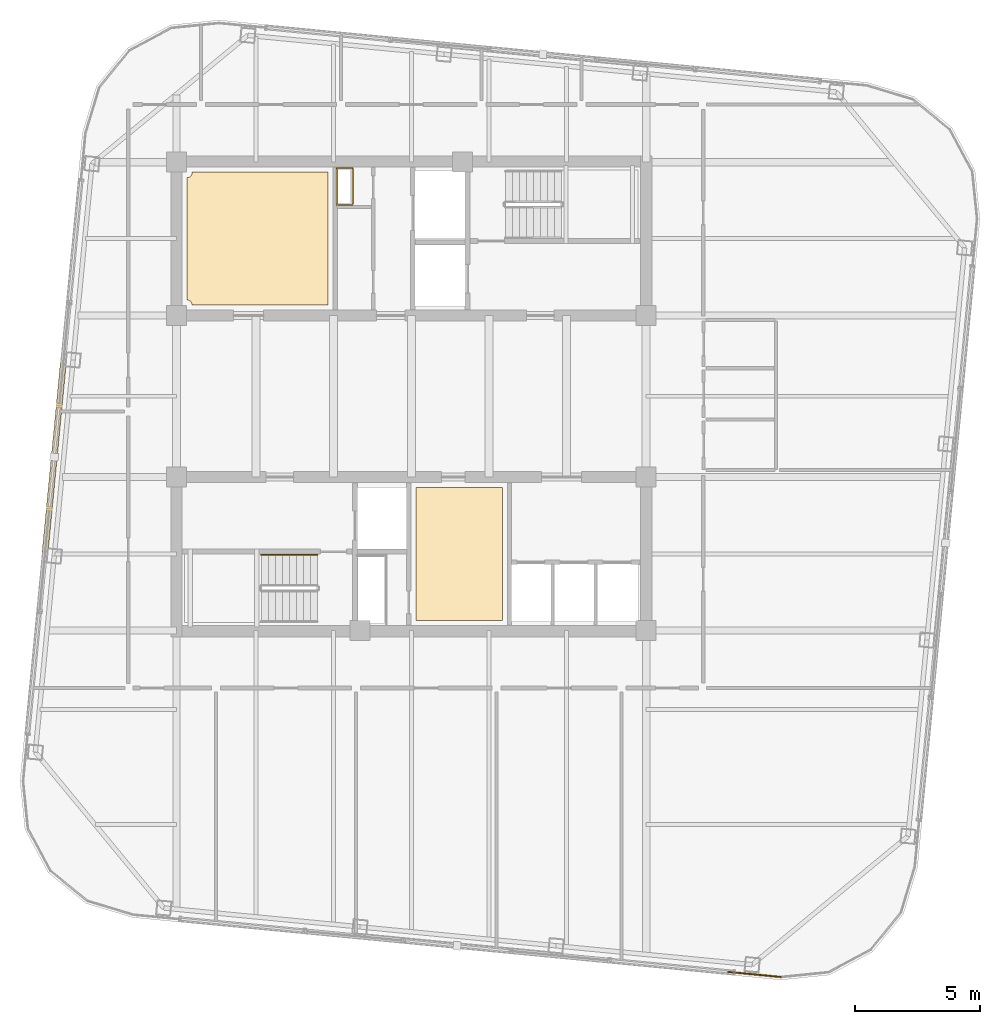
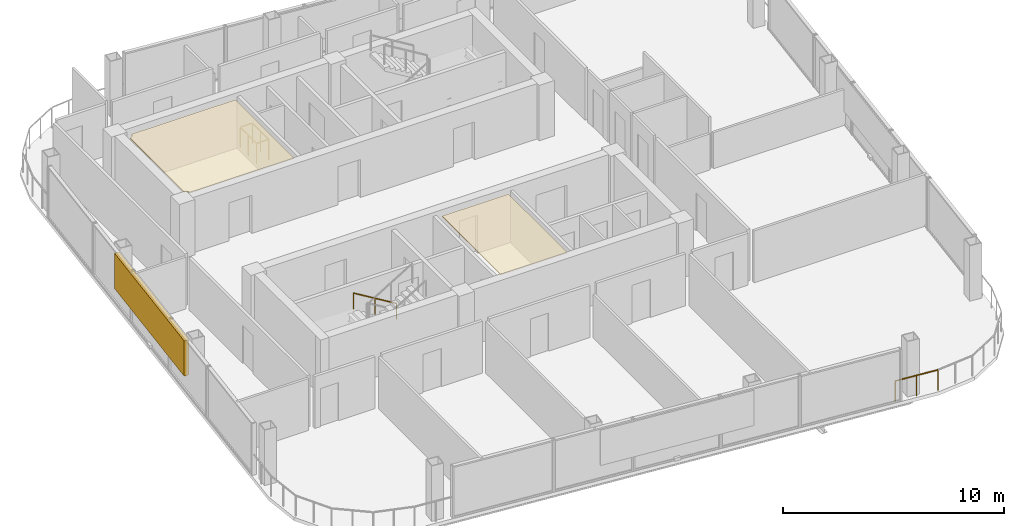
# One storey, part 20 of 22: 3 railings, 2 coverings, 1 shading device.
"""IFC4 building model written with IfcOpenShell, lengths in metres."""

from ifc_helpers import new_model, si_unit, direction, frame, origin, origin_2d, place, context, subcontext, project, spatial, polyline, rectangle, outline, extrude, material, layer, layer_set, type_object, element, save


model = new_model("IFC4")

# Units and contexts
model_context = context("Model", 3, precision=1e-05, world=origin(), true_north=direction((0.0, 1.0)))
body_context = subcontext(model_context, "Body", "Model", "MODEL_VIEW")
ifc_project = project(units=[si_unit("LENGTHUNIT", "METRE"), si_unit("AREAUNIT", "SQUARE_METRE"), si_unit("VOLUMEUNIT", "CUBIC_METRE"), si_unit("PLANEANGLEUNIT", "RADIAN"), si_unit("MASSUNIT", "GRAM", prefix="KILO")], contexts=[model_context])

# Site, building, storey
site_placement = place(None, origin())
site = spatial("IfcSite", under=ifc_project, at=site_placement, CompositionType="ELEMENT")
building_placement = place(site_placement, origin())
building = spatial("IfcBuilding", under=site, at=building_placement, Name="Qhalaya Broadcast Tower", CompositionType="ELEMENT")
storey_placement = place(building_placement, frame((0.0, 0.0, 252.0)))
storey = spatial("IfcBuildingStorey", under=building, at=storey_placement, Name="L74", CompositionType="ELEMENT", Elevation=252.0)

# Coverings
ifc_material_1 = material(Name="Acoustic Mineral-Fibre Ceiling")
ifc_layer = layer(ifc_material_1, 0.0400390625, Name="Acoustic Mineral-Fibre Ceiling")
ifc_layer_set = layer_set([ifc_layer], Name="Acoustic Mineral-Fibre Ceiling")
covering_type = type_object("IfcCoveringType", Name="Acoustic Mineral-Fibre Suspended Ceiling CLG-01", PredefinedType="CEILING", material=ifc_layer_set)
covering_1_placement = place(storey_placement, frame((0.0, 0.0, 2.820068359375)))
element("IfcCovering", 1, at=covering_1_placement, inside=storey, type_object=covering_type, Name="L74 Acoustic Suspended Ceiling 01", PredefinedType="CEILING", context=body_context, shape_type="SweptSolid", body=[
    extrude(outline(polyline([(-8.756103515625, 4.2646484375), (-8.755126953125, 4.25), (-3.330078125, 4.25), (-3.330078125, 9.550048828125), (-8.7548828125, 9.550048828125), (-8.7548828125, 9.530029296875), (-8.756103515625, 9.510498046875), (-8.7587890625, 9.490966796875), (-8.763671875, 9.471923828125), (-8.770263671875, 9.45361328125), (-8.778564453125, 9.435791015625), (-8.788818359375, 9.4189453125), (-8.80029296875, 9.403076171875), (-8.813720703125, 9.388671875), (-8.828125, 9.37548828125), (-8.843994140625, 9.36376953125), (-8.860595703125, 9.353515625), (-8.87841796875, 9.34521484375), (-8.89697265625, 9.338623046875), (-8.916015625, 9.333740234375), (-8.935302734375, 9.3310546875), (-8.949951171875, 9.330078125), (-8.949951171875, 4.44482421875), (-8.935302734375, 4.444091796875), (-8.916015625, 4.441162109375), (-8.89697265625, 4.436279296875), (-8.87841796875, 4.4296875), (-8.860595703125, 4.42138671875), (-8.843994140625, 4.411376953125), (-8.828125, 4.399658203125), (-8.813720703125, 4.386474609375), (-8.80029296875, 4.371826171875), (-8.788818359375, 4.356201171875), (-8.778564453125, 4.33935546875), (-8.770263671875, 4.321533203125), (-8.763671875, 4.302978515625), (-8.7587890625, 4.283935546875), (-8.756103515625, 4.2646484375)])), origin(), (0.0, 0.0, 1.0), 0.0400390625),
])
covering_2_placement = place(storey_placement, frame((0.0, 0.0, 2.820068359375)))
element("IfcCovering", 2, at=covering_2_placement, inside=storey, type_object=covering_type, Name="L74 Acoustic Suspended Ceiling 02", PredefinedType="CEILING", context=body_context, shape_type="SweptSolid", body=[
    extrude(outline(polyline([(0.179931640625, -3.050048828125), (0.179931640625, -8.35009765625), (3.639892578125, -8.35009765625), (3.639892578125, -3.050048828125), (0.179931640625, -3.050048828125)])), origin(), (0.0, 0.0, 1.0), 0.0400390625),
])

# Railings
ifc_material_2 = material(Name="Powder-Coated Galvanised Steel", Category="steel")
railing_type_1 = type_object("IfcRailingType", Name="Stair Wall Handrail 900", PredefinedType="HANDRAIL", material=ifc_material_2)
railing_1_placement = place(storey_placement, frame((-3.75, -5.72998046875, 0.16943359375)))
element("IfcRailing", 3, at=railing_1_placement, inside=storey, type_object=railing_type_1, Name="L74 ST-2 Stair Handrail 1", PredefinedType="HANDRAIL", context=body_context, shape_type="SweptSolid", body=[
    extrude(rectangle(XDim=0.048095703125, YDim=0.048095703125, at=origin_2d()), frame((0.0, 0.0, 0.8759765625), z_axis=(-0.855553338991, 0.0, 0.51771467445), x_axis=(0.0, -1.0, 0.0)), (0.0, 0.0, 1.0), 2.6181640625),
    extrude(rectangle(XDim=0.0419921875, YDim=0.0419921875, at=origin_2d()), origin(), (0.0, 0.0, 1.0), 0.849853515625),
    extrude(rectangle(XDim=0.0419921875, YDim=0.0419921875, at=origin_2d()), frame((-1.1201171875, 0.0, 0.677734375)), (0.0, 0.0, 1.0), 0.849853515625),
    extrude(rectangle(XDim=0.0419921875, YDim=0.0419921875, at=origin_2d()), frame((-2.239990234375, 0.0, 1.35546875)), (0.0, 0.0, 1.0), 0.849853515625),
])
railing_type_2 = type_object("IfcRailingType", Name="Stair Well & Landing Guardrail 1100", PredefinedType="GUARDRAIL", material=ifc_material_2)
railing_2_placement = place(storey_placement, frame((-2.340087890625, 8.239990234375, 0.0)))
element("IfcRailing", 4, at=railing_2_placement, inside=storey, type_object=railing_type_2, Name="L74 Service Riser Opening Safety Guard NRSR", PredefinedType="GUARDRAIL", context=body_context, shape_type="SweptSolid", body=[
    extrude(rectangle(XDim=0.048095703125, YDim=0.048095703125, at=origin_2d()), frame((0.0, 0.02880859375, 1.1259765625), z_axis=(0.0, 1.0, 0.0), x_axis=(-1.0, 0.0, 0.0)), (0.0, 0.0, 1.0), 1.42236328125),
    extrude(rectangle(XDim=0.048095703125, YDim=0.048095703125, at=origin_2d()), frame((-0.02880859375, 1.47998046875, 1.1259765625), z_axis=(-1.0, 0.0, 0.0), x_axis=(0.0, -1.0, 0.0)), (0.0, 0.0, 1.0), 0.582275390625),
    extrude(rectangle(XDim=0.048095703125, YDim=0.048095703125, at=origin_2d()), frame((-0.639892578125, 1.451171875, 1.1259765625), z_axis=(0.0, -1.0, 0.0), x_axis=(1.0, 0.0, 0.0)), (0.0, 0.0, 1.0), 1.42236328125),
    extrude(rectangle(XDim=0.048095703125, YDim=0.048095703125, at=origin_2d()), frame((-0.611083984375, 0.0, 1.1259765625), z_axis=(1.0, 0.0, 0.0), x_axis=(0.0, 1.0, 0.0)), (0.0, 0.0, 1.0), 0.582275390625),
    extrude(rectangle(XDim=0.0419921875, YDim=0.0419921875, at=origin_2d()), origin(), (0.0, 0.0, 1.0), 1.099853515625),
    extrude(rectangle(XDim=0.0419921875, YDim=0.0419921875, at=origin_2d()), frame((0.0, 0.739990234375, 0.0)), (0.0, 0.0, 1.0), 1.099853515625),
    extrude(rectangle(XDim=0.0419921875, YDim=0.0419921875, at=origin_2d()), frame((0.0, 1.47998046875, 0.0)), (0.0, 0.0, 1.0), 1.099853515625),
    extrude(rectangle(XDim=0.0419921875, YDim=0.0419921875, at=origin_2d()), frame((-0.639892578125, 1.47998046875, 0.0)), (0.0, 0.0, 1.0), 1.099853515625),
    extrude(rectangle(XDim=0.0419921875, YDim=0.0419921875, at=origin_2d()), frame((-0.639892578125, 0.739990234375, 0.0)), (0.0, 0.0, 1.0), 1.099853515625),
    extrude(rectangle(XDim=0.0419921875, YDim=0.0419921875, at=origin_2d()), frame((-0.639892578125, 0.0, 0.0)), (0.0, 0.0, 1.0), 1.099853515625),
])
railing_type_3 = type_object("IfcRailingType", Name="Terrace, Sky-Pool & Lookout Glass Balustrade 1150", PredefinedType="BALUSTRADE", material=ifc_material_2)
railing_3_placement = place(storey_placement, frame((14.754638671875, -22.58251953125, 0.0)))
element("IfcRailing", 5, at=railing_3_placement, inside=storey, type_object=railing_type_3, Name="L74 Rounded Corner Perimeter Guard 01", PredefinedType="BALUSTRADE", context=body_context, shape_type="SweptSolid", body=[
    extrude(rectangle(XDim=0.048095703125, YDim=0.048095703125, at=origin_2d()), frame((0.0, 0.0, 1.1259765625), z_axis=(-0.995391273094, 0.095896889673, 0.0), x_axis=(-0.095896889673, -0.995391273094, 0.0)), (0.0, 0.0, 1.0), 2.1181640625),
    extrude(rectangle(XDim=0.0419921875, YDim=0.0419921875, at=origin_2d()), origin(), (0.0, 0.0, 1.0), 1.099853515625),
    extrude(rectangle(XDim=0.0419921875, YDim=0.0419921875, at=origin_2d()), frame((-1.05419921875, 0.1015625, 0.0)), (0.0, 0.0, 1.0), 1.099853515625),
    extrude(rectangle(XDim=0.0419921875, YDim=0.0419921875, at=origin_2d()), frame((-2.1083984375, 0.203125, 0.0)), (0.0, 0.0, 1.0), 1.099853515625),
])

# Shading device
ifc_material_3 = material(Name="Fired Architectural Terracotta", Category="masonry")
shading_device_type = type_object("IfcShadingDeviceType", Name="Terracotta Baguette Solar Screen Assembly TBS-01", PredefinedType="USERDEFINED", material=ifc_material_3)
shading_device_placement = place(storey_placement, frame((-14.2578125, -1.826171875, 0.80078125), z_axis=(0.0, 0.0, 1.0), x_axis=(-0.09584575252, -0.995396198367, 0.0)))
element("IfcShadingDevice", 6, at=shading_device_placement, inside=storey, type_object=shading_device_type, Name="L74 Fired Terracotta Baguette Screen W", ObjectType="BAGUETTE", PredefinedType="USERDEFINED", context=body_context, shape_type="SweptSolid", body=[
    extrude(rectangle(XDim=7.60009765625, YDim=0.239990234375, at=origin_2d()), origin(), (0.0, 0.0, 1.0), 1.945068359375),
])

save(model, "model.ifc")
